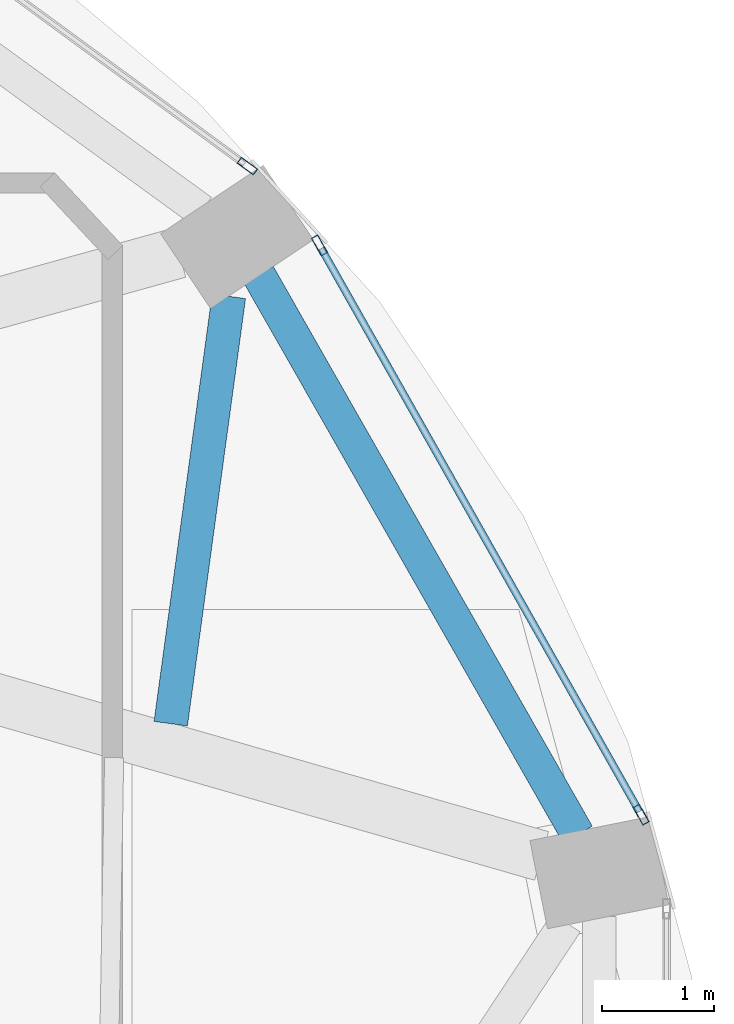
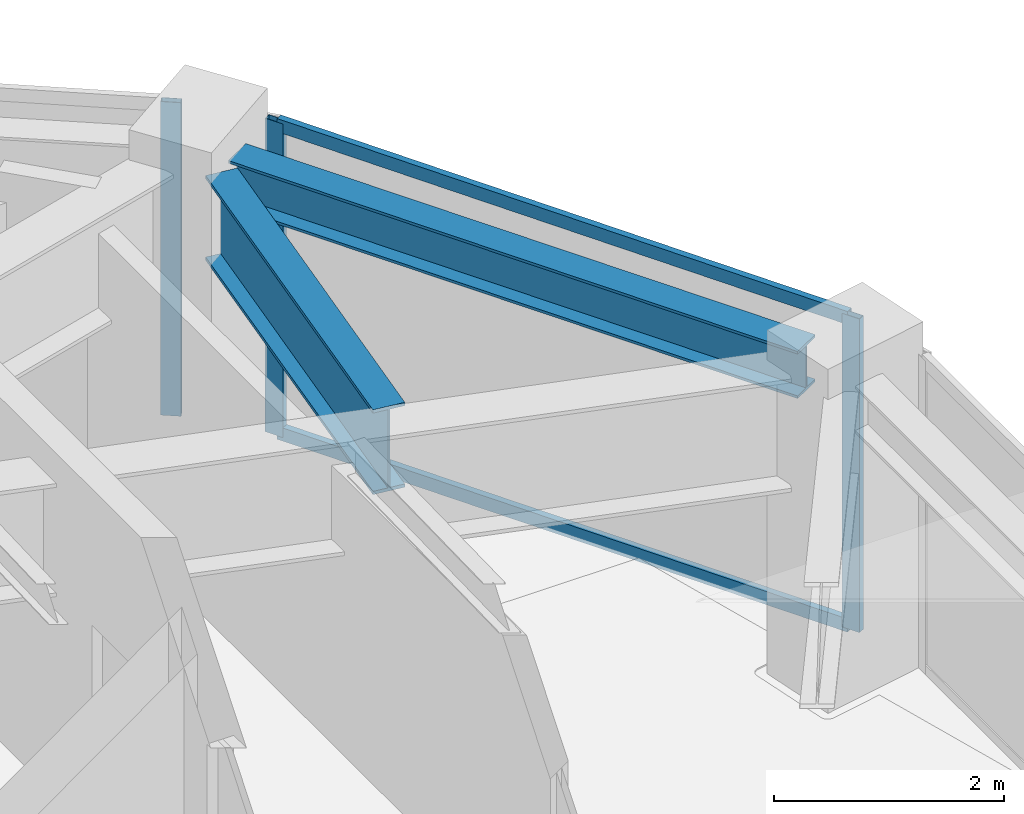
# One storey, part 7 of 13: 5 members, 2 beams, 2 elements without a shape of their own.
"""IFC4 building model written with IfcOpenShell, lengths in metres."""

import ifcopenshell
import ifcopenshell.guid

model = None  # the IFC model being written
_history = None  # IfcOwnerHistory: only IFC2X3 demands one
_inside = {}  # id of a spatial element -> (the spatial element, [elements in it])
_under = {}  # id of a project, library or spatial element -> (it, [spatial elements below it])
_declared = {}  # id of a project -> (the project, [libraries it declares])
_typed = {}  # id of a type object -> (the type object, [elements of that type])
_made_of = {}  # id of a material, layer set ... -> (it, [elements and type objects made of it])


def new_model(schema):
    """Start an empty IFC model of exactly this schema.

    Asked for "IFC4X3", IfcOpenShell would pick the latest addendum, in which some entities
    have other attributes; the version numbers below select the first issue.
    IFC2X3 requires an IfcOwnerHistory on every rooted entity: one is made here for all.
    """
    global model, _history
    if schema == "IFC4X3":
        model = ifcopenshell.file(schema_version=(4, 3, 0, 0))
    else:
        model = ifcopenshell.file(schema=schema)
    _inside.clear()
    _under.clear()
    _declared.clear()
    _typed.clear()
    _made_of.clear()
    _history = None
    if model.schema == "IFC2X3":
        org = make("IfcOrganization", Name="unknown")
        user = make(
            "IfcPersonAndOrganization",
            ThePerson=make("IfcPerson", FamilyName="unknown"),
            TheOrganization=org,
        )
        app = make(
            "IfcApplication",
            ApplicationDeveloper=org,
            Version="unknown",
            ApplicationFullName="unknown",
            ApplicationIdentifier="unknown",
        )
        _history = make(
            "IfcOwnerHistory",
            OwningUser=user,
            OwningApplication=app,
            ChangeAction="ADDED",
            CreationDate=0,
        )
    return model


def make(cls, **values):
    """One entity of the class cls with the attributes given. An attribute that is None is left unset."""
    return model.create_entity(
        cls, **{name: value for name, value in values.items() if value is not None}
    )


def rooted(cls, **values):
    """An entity with a GlobalId (a new one), such as an element, a storey or a relation."""
    return make(cls, GlobalId=ifcopenshell.guid.new(), OwnerHistory=_history, **values)


def si_unit(unit_type, name, prefix=None):
    """IfcSIUnit, for example si_unit("LENGTHUNIT", "METRE", prefix="MILLI")."""
    return make("IfcSIUnit", UnitType=unit_type, Prefix=prefix, Name=name)


def assignment(units):
    """IfcUnitAssignment: the units of a project."""
    return None if units is None else make("IfcUnitAssignment", Units=units)


def point(xyz):
    """IfcCartesianPoint."""
    return None if xyz is None else make("IfcCartesianPoint", Coordinates=xyz)


def direction(xyz):
    """IfcDirection."""
    return None if xyz is None else make("IfcDirection", DirectionRatios=xyz)


def frame(location, z_axis=None, x_axis=None):
    """IfcAxis2Placement3D, a coordinate frame: its origin and axes. An axis left out is left unset."""
    return make(
        "IfcAxis2Placement3D",
        Location=point(location),
        Axis=direction(z_axis),
        RefDirection=direction(x_axis),
    )


def frame_2d(location, x_axis=None):
    """IfcAxis2Placement2D, a coordinate frame in the plane: its origin and x axis."""
    return make(
        "IfcAxis2Placement2D", Location=point(location), RefDirection=direction(x_axis)
    )


def origin():
    """The frame at (0, 0, 0) with its axes left unset."""
    return frame((0.0, 0.0, 0.0))


def origin_2d():
    """The frame at (0, 0) in the plane with its x axis left unset."""
    return frame_2d((0.0, 0.0))


def place(relative_to, where):
    """IfcLocalPlacement: puts the frame where relative to a parent placement (None: the world)."""
    return make(
        "IfcLocalPlacement", PlacementRelTo=relative_to, RelativePlacement=where
    )


def context(
    kind, dimensions, precision=None, world=None, true_north=None, identifier=None
):
    """IfcGeometricRepresentationContext, for example the 3D "Model" context."""
    return make(
        "IfcGeometricRepresentationContext",
        ContextIdentifier=identifier,
        ContextType=kind,
        CoordinateSpaceDimension=dimensions,
        Precision=precision,
        WorldCoordinateSystem=world,
        TrueNorth=true_north,
    )


def subcontext(parent, identifier, kind, view, scale=None):
    """IfcGeometricRepresentationSubContext, for example "Body" below "Model"."""
    return make(
        "IfcGeometricRepresentationSubContext",
        ContextIdentifier=identifier,
        ContextType=kind,
        ParentContext=parent,
        TargetScale=scale,
        TargetView=view,
    )


def project(units=None, contexts=None):
    """IfcProject with its units and contexts."""
    return rooted(
        "IfcProject",
        Name="project",
        RepresentationContexts=contexts,
        UnitsInContext=assignment(units),
    )


def spatial(cls, under=None, at=None, **own):
    """A site, building, storey or space (cls), placed at a placement, below another one or the project."""
    s = rooted(cls, ObjectPlacement=at, **own)
    if under is not None:
        _under.setdefault(under.id(), (under, []))[1].append(s)
    return s


def profile(cls, at=None, kind="AREA", **sizes):
    """A parametric profile (cls). Its sizes go by their IFC names, for example OverallWidth=200.0."""
    return make(cls, ProfileType=kind, Position=at, **sizes)


def hollow_rectangle(**sizes):
    """IfcRectangleHollowProfileDef."""
    return profile("IfcRectangleHollowProfileDef", **sizes)


def i_section(**sizes):
    """IfcIShapeProfileDef."""
    return profile("IfcIShapeProfileDef", **sizes)


def extrude(swept, where, along, depth):
    """IfcExtrudedAreaSolid: the profile swept, set in the frame where, extruded along a direction by depth."""
    return make(
        "IfcExtrudedAreaSolid",
        SweptArea=swept,
        Position=where,
        ExtrudedDirection=direction(along),
        Depth=depth,
    )


def shape(context_of_items, identifier, shape_type, items):
    """IfcShapeRepresentation: the items that make up one representation, for example the "Body"."""
    return make(
        "IfcShapeRepresentation",
        ContextOfItems=context_of_items,
        RepresentationIdentifier=identifier,
        RepresentationType=shape_type,
        Items=items,
    )


def material(Name=None, Category=None):
    """IfcMaterial."""
    return make("IfcMaterial", Name=Name, Category=Category)


def layer(
    of_material, thickness, ventilated=None, Name=None, Category=None, Priority=None
):
    """IfcMaterialLayer: one layer of a wall or slab, of a material (None: an air gap)."""
    return make(
        "IfcMaterialLayer",
        Material=of_material,
        LayerThickness=thickness,
        IsVentilated=ventilated,
        Name=Name,
        Category=Category,
        Priority=Priority,
    )


def layer_set(layers, Name=None):
    """IfcMaterialLayerSet."""
    return make("IfcMaterialLayerSet", MaterialLayers=layers, LayerSetName=Name)


def material_profile(
    of_material, cross_section, Name=None, Category=None, Priority=None
):
    """IfcMaterialProfile: a cross section and its material."""
    return make(
        "IfcMaterialProfile",
        Name=Name,
        Material=of_material,
        Profile=cross_section,
        Priority=Priority,
        Category=Category,
    )


def profile_set(profiles, Name=None, composite=None):
    """IfcMaterialProfileSet."""
    return make(
        "IfcMaterialProfileSet",
        Name=Name,
        MaterialProfiles=profiles,
        CompositeProfile=composite,
    )


def made_of(thing, what):
    """Note that an element or type object is made of a material, layer set ...; save() writes the relation."""
    if what is not None:
        _made_of.setdefault(what.id(), (what, []))[1].append(thing)
    return thing


def type_object(cls, material=None, **own):
    """A type object (cls), such as IfcWallType, which elements share."""
    return made_of(rooted(cls, **own), material)


def element(
    cls,
    number,
    at=None,
    inside=None,
    cuts=None,
    type_object=None,
    material=None,
    context=None,
    identifier="Body",
    shape_type=None,
    held_by="IfcProductDefinitionShape",
    body=None,
    shapes=None,
    **own,
):
    """One element of the class cls, such as IfcWall. Its Tag is "e" and its number.

    at: its placement. inside: the storey or other place that contains it. cuts: it is an
    opening in that element (IfcRelVoidsElement). A single representation is given by context,
    identifier, shape_type and body (its items); several are given by shapes. held_by: the class
    of the entity that holds the representations. save() writes the other relations.
    """
    e = rooted(cls, Tag="e%d" % number, ObjectPlacement=at, **own)
    if body is not None:
        shapes = [shape(context, identifier, shape_type, body)]
    if shapes is not None:
        e.Representation = make(held_by, Representations=shapes)
    if inside is not None:
        _inside.setdefault(inside.id(), (inside, []))[1].append(e)
    if cuts is not None:
        rooted(
            "IfcRelVoidsElement", RelatingBuildingElement=cuts, RelatedOpeningElement=e
        )
    if type_object is not None:
        _typed.setdefault(type_object.id(), (type_object, []))[1].append(e)
    return made_of(e, material)


def aggregate(whole, parts):
    """IfcRelAggregates: a whole, such as a stair, and the parts it consists of."""
    return rooted("IfcRelAggregates", RelatingObject=whole, RelatedObjects=parts)


def save(model, path):
    """Write the relations noted so far, then the file.

    IfcRelAggregates (storeys below a building ...), IfcRelContainedInSpatialStructure (elements
    in a storey), IfcRelDefinesByType, IfcRelAssociatesMaterial and IfcRelDeclares: one each for
    every whole, place, type object, material and project.
    """
    for whole, parts in _under.values():
        aggregate(whole, parts)
    for where, things in _inside.values():
        rooted(
            "IfcRelContainedInSpatialStructure",
            RelatedElements=things,
            RelatingStructure=where,
        )
    for kind, things in _typed.values():
        rooted("IfcRelDefinesByType", RelatedObjects=things, RelatingType=kind)
    for what, things in _made_of.values():
        rooted("IfcRelAssociatesMaterial", RelatedObjects=things, RelatingMaterial=what)
    for by, libraries in _declared.values():
        rooted("IfcRelDeclares", RelatingContext=by, RelatedDefinitions=libraries)
    model.write(path)


model = new_model("IFC4")

# Units and contexts
model_context = context("Model", 3, precision=1e-05, world=origin(), true_north=direction((0.0, 1.0)))
body_context = subcontext(model_context, "Body", "Model", "MODEL_VIEW")
ifc_project = project(units=[si_unit("LENGTHUNIT", "METRE"), si_unit("AREAUNIT", "SQUARE_METRE"), si_unit("VOLUMEUNIT", "CUBIC_METRE"), si_unit("PLANEANGLEUNIT", "RADIAN"), si_unit("MASSUNIT", "GRAM", prefix="KILO")], contexts=[model_context])

# Site, building, storey
site_placement = place(None, origin())
site = spatial("IfcSite", under=ifc_project, at=site_placement, CompositionType="ELEMENT")
building_placement = place(site_placement, origin())
building = spatial("IfcBuilding", under=site, at=building_placement, Name="Lazwardi Medical Tower", CompositionType="ELEMENT")
storey_placement = place(building_placement, frame((0.0, 0.0, 298.800048828125)))
storey = spatial("IfcBuildingStorey", under=building, at=storey_placement, Name="L78", CompositionType="ELEMENT", Elevation=298.800048828125)

# Beams
ifc_material_1 = material(Name="Steel S460", Category="steel")
ifc_material_profile_1 = material_profile(ifc_material_1, i_section(OverallWidth=0.300048828125, OverallDepth=0.89990234375, WebThickness=0.0185546875, FlangeThickness=0.034912109375, at=origin_2d()), Name="HEB 900")
ifc_profile_set_1 = profile_set([ifc_material_profile_1], Name="Steel S460")
beam_type_1 = type_object("IfcBeamType", Name="BM-HB-01", PredefinedType="BEAM", material=ifc_profile_set_1)
beam_1_placement = place(storey_placement, frame((53.37060546875, 33.588134765625, 2.8779296875), z_axis=(0.134687526774, 0.990888121905, 0.0), x_axis=(-0.990888121905, 0.134687526774, 0.0)))
element("IfcBeam", 1, at=beam_1_placement, inside=storey, type_object=beam_type_1, Name="Transfer girder tie HB-01 M05 L78", PredefinedType="BEAM", context=body_context, shape_type="SweptSolid", body=[
    extrude(i_section(OverallWidth=0.300048828125, OverallDepth=0.89990234375, WebThickness=0.0185546875, FlangeThickness=0.034912109375, at=origin_2d()), origin(), (0.0, 0.0, 1.0), 3.839111328125),
])
ifc_material_2 = material(Name="Steel S355", Category="steel")
ifc_material_profile_2 = material_profile(ifc_material_2, i_section(OverallWidth=0.300048828125, OverallDepth=0.5, WebThickness=0.014404296875, FlangeThickness=0.028076171875, at=origin_2d()), Name="HEB 500")
ifc_profile_set_2 = profile_set([ifc_material_profile_2], Name="Steel S355")
beam_type_2 = type_object("IfcBeamType", Name="BM-RB-Z4", PredefinedType="BEAM", material=ifc_profile_set_2)
beam_2_placement = place(storey_placement, frame((56.991943359375, 32.601806640625, 3.077880859375), z_axis=(-0.495125273299, 0.868821594886, 0.0), x_axis=(-0.868821594886, -0.495125273299, 0.0)))
element("IfcBeam", 2, at=beam_2_placement, inside=storey, type_object=beam_type_2, Name="Ring beam RB-05 B05 L78", PredefinedType="BEAM", context=body_context, shape_type="SweptSolid", body=[
    extrude(i_section(OverallWidth=0.300048828125, OverallDepth=0.5, WebThickness=0.014404296875, FlangeThickness=0.028076171875, at=origin_2d()), origin(), (0.0, 0.0, 1.0), 5.734130859375),
])

# Curtain wall, members
ifc_material_3 = material(Name="Anodised bronze aluminium and solar control glazing", Category="aluminium")
ifc_layer = layer(ifc_material_3, 0.18994140625)
ifc_layer_set = layer_set([ifc_layer], Name="Anodised bronze aluminium and solar control glazing")
curtain_wall_type = type_object("IfcCurtainWallType", Name="CW-SYS-04", PredefinedType="NOTDEFINED", material=ifc_layer_set)
curtain_wall_1_placement = place(storey_placement, origin())
curtain_wall_1 = element("IfcCurtainWall", 3, at=curtain_wall_1_placement, inside=storey, type_object=curtain_wall_type, Name="L78 Unitised bronze curtain wall CW-04", PredefinedType="NOTDEFINED")
ifc_material_4 = material(Name="Anodised bronze aluminium", Category="aluminium")
ifc_material_profile_3 = material_profile(ifc_material_4, hollow_rectangle(XDim=0.06494140625, YDim=0.179931640625, WallThickness=0.00390625, at=origin_2d()), Name="ALU-MULLION 180x65x4")
ifc_profile_set_3 = profile_set([ifc_material_profile_3], Name="Anodised bronze aluminium")
member_type_1 = type_object("IfcMemberType", Name="CW-MUL-03", PredefinedType="MULLION", material=ifc_profile_set_3)
member_1_placement = place(storey_placement, frame((57.557373046875, 32.778076171875, 0.0), z_axis=(0.0, 0.0, 1.0), x_axis=(-0.870651436011, -0.491900474661, 0.0)))
member_1 = element("IfcMember", 4, at=member_1_placement, type_object=member_type_1, Name="CW-04 mullion 1", PredefinedType="MULLION", context=body_context, shape_type="SweptSolid", body=[
    extrude(hollow_rectangle(XDim=0.06494140625, YDim=0.179931640625, WallThickness=0.00390625, at=origin_2d()), origin(), (0.0, 0.0, 1.0), 3.327880859375),
])
member_2_placement = place(storey_placement, frame((54.6943359375, 37.845458984375, 0.0), z_axis=(0.0, 0.0, 1.0), x_axis=(-0.870651436011, -0.491900474661, 0.0)))
member_2 = element("IfcMember", 5, at=member_2_placement, type_object=member_type_1, Name="CW-04 mullion 2", PredefinedType="MULLION", context=body_context, shape_type="SweptSolid", body=[
    extrude(hollow_rectangle(XDim=0.06494140625, YDim=0.179931640625, WallThickness=0.00390625, at=origin_2d()), origin(), (0.0, 0.0, 1.0), 3.327880859375),
])

# Curtain wall, member
curtain_wall_2_placement = place(storey_placement, origin())
curtain_wall_2 = element("IfcCurtainWall", 6, at=curtain_wall_2_placement, inside=storey, type_object=curtain_wall_type, Name="L78 Unitised bronze curtain wall CW-04", PredefinedType="NOTDEFINED")
member_3_placement = place(storey_placement, frame((54.052001953125, 38.551513671875, 0.0), z_axis=(0.0, 0.0, 1.0), x_axis=(-0.591268230971, -0.806474971121, 0.0)))
member_3 = element("IfcMember", 7, at=member_3_placement, type_object=member_type_1, Name="CW-04 mullion 1", PredefinedType="MULLION", context=body_context, shape_type="SweptSolid", body=[
    extrude(hollow_rectangle(XDim=0.06494140625, YDim=0.179931640625, WallThickness=0.00390625, at=origin_2d()), origin(), (0.0, 0.0, 1.0), 3.327880859375),
])
aggregate(curtain_wall_2, [member_3])

# Member
ifc_material_profile_4 = material_profile(ifc_material_4, hollow_rectangle(XDim=0.06494140625, YDim=0.139892578125, WallThickness=0.00341796875, at=origin_2d()), Name="ALU-TRANSOM 140x65x3.5")
ifc_profile_set_4 = profile_set([ifc_material_profile_4], Name="Anodised bronze aluminium")
member_type_2 = type_object("IfcMemberType", Name="CW-TRN-03", PredefinedType="USERDEFINED", material=ifc_profile_set_4)
member_4_placement = place(storey_placement, frame((57.541259765625, 32.806396484375, 0.032470703125), z_axis=(-0.491879719484, 0.87066316194, 0.0), x_axis=(-0.87066316194, -0.491879719484, 0.0)))
member_4 = element("IfcMember", 8, at=member_4_placement, type_object=member_type_2, Name="CW-04 transom 1.1", ObjectType="TRANSOM", PredefinedType="USERDEFINED", context=body_context, shape_type="SweptSolid", body=[
    extrude(hollow_rectangle(XDim=0.06494140625, YDim=0.139892578125, WallThickness=0.00341796875, at=origin_2d()), origin(), (0.0, 0.0, 1.0), 5.755126953125),
])

member_5_placement = place(storey_placement, frame((57.541259765625, 32.806396484375, 3.29541015625), z_axis=(-0.491879719484, 0.87066316194, 0.0), x_axis=(-0.87066316194, -0.491879719484, 0.0)))
member_5 = element("IfcMember", 9, at=member_5_placement, type_object=member_type_2, Name="CW-04 transom 1.2", ObjectType="TRANSOM", PredefinedType="USERDEFINED", context=body_context, shape_type="SweptSolid", body=[
    extrude(hollow_rectangle(XDim=0.06494140625, YDim=0.139892578125, WallThickness=0.00341796875, at=origin_2d()), origin(), (0.0, 0.0, 1.0), 5.755126953125),
])

aggregate(curtain_wall_1, [member_1, member_2, member_4, member_5])

save(model, "model.ifc")
